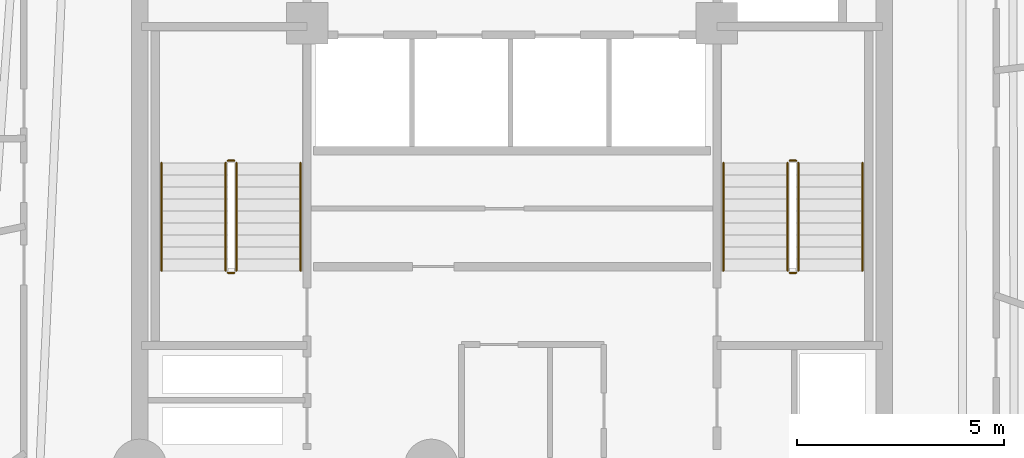
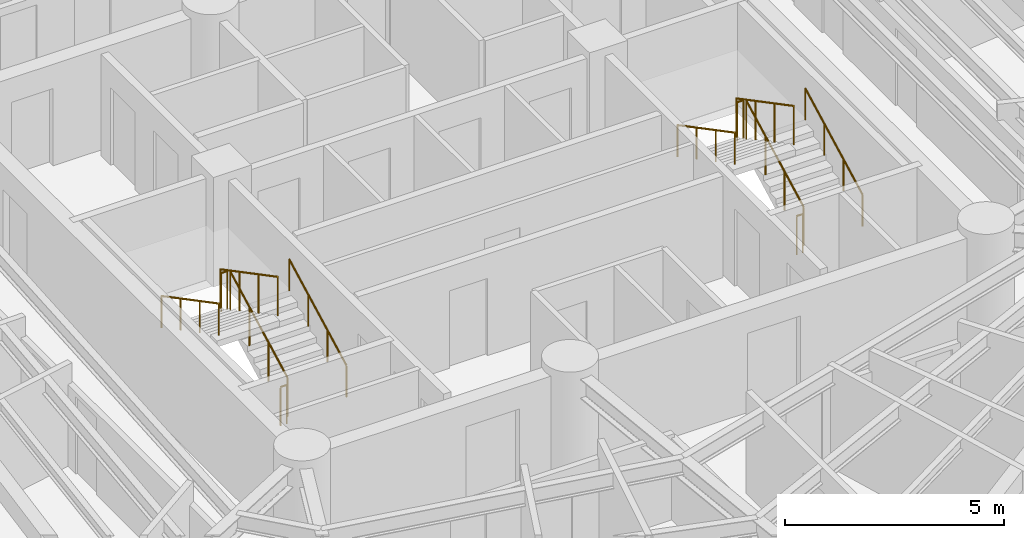
# One storey, part 8 of 8: 12 railings.
"""IFC4 building model written with IfcOpenShell, lengths in metres."""

from ifc_helpers import new_model, si_unit, direction, frame, origin, origin_2d, place, context, subcontext, project, spatial, circle, extrude, material, layer, layer_set, type_object, element, save


model = new_model("IFC4")

# Units and contexts
model_context = context("Model", 3, precision=1e-05, world=origin(), true_north=direction((0.0, 1.0)))
body_context = subcontext(model_context, "Body", "Model", "MODEL_VIEW")
ifc_project = project(units=[si_unit("LENGTHUNIT", "METRE"), si_unit("AREAUNIT", "SQUARE_METRE"), si_unit("VOLUMEUNIT", "CUBIC_METRE"), si_unit("PLANEANGLEUNIT", "RADIAN"), si_unit("MASSUNIT", "GRAM", prefix="KILO")], contexts=[model_context])

# Site, building, storey
site_placement = place(None, origin())
site = spatial("IfcSite", under=ifc_project, at=site_placement, CompositionType="ELEMENT")
building_placement = place(site_placement, origin())
building = spatial("IfcBuilding", under=site, at=building_placement, Name="Karkom Vertical University and Central Library", CompositionType="ELEMENT")
storey_placement = place(building_placement, frame((0.0, 0.0, 177.89990234375)))
storey = spatial("IfcBuildingStorey", under=building, at=storey_placement, Name="L51", CompositionType="ELEMENT", Elevation=177.89990234375)

# Railings
ifc_material_1 = material(Name="Painted galvanised steel balustrade", Category="steel")
ifc_layer_1 = layer(ifc_material_1, 0.06005859375)
ifc_layer_set_1 = layer_set([ifc_layer_1], Name="Painted galvanised steel balustrade")
railing_type_1 = type_object("IfcRailingType", Name="INT-RL-GUARD1100", PredefinedType="GUARDRAIL", material=ifc_layer_set_1)
railing_1_placement = place(storey_placement, frame((21.840087890625, 23.02001953125, 0.152587890625)))
element("IfcRailing", 1, at=railing_1_placement, inside=storey, type_object=railing_type_1, Name="Level 51 ST-1 stair guard 1", PredefinedType="GUARDRAIL", context=body_context, shape_type="SweptSolid", body=[
    extrude(circle(Radius=0.02392578125, at=origin_2d()), frame((0.0, 0.0, 1.076171875), z_axis=(0.0, 0.885065446896, 0.46546659892), x_axis=(-1.0, 0.0, 0.0)), (0.0, 0.0, 1.0), 2.94873046875),
    extrude(circle(Radius=0.02099609375, at=origin_2d()), origin(), (0.0, 0.0, 1.0), 1.052001953125),
    extrude(circle(Radius=0.02099609375, at=origin_2d()), frame((0.0, 0.869873046875, 0.45751953125)), (0.0, 0.0, 1.0), 1.052001953125),
    extrude(circle(Radius=0.02099609375, at=origin_2d()), frame((0.0, 1.739990234375, 0.9150390625)), (0.0, 0.0, 1.0), 1.052001953125),
    extrude(circle(Radius=0.02099609375, at=origin_2d()), frame((0.0, 2.60986328125, 1.37255859375)), (0.0, 0.0, 1.0), 1.052001953125),
])
railing_2_placement = place(storey_placement, frame((21.7900390625, 25.679931640625, 1.525146484375)))
element("IfcRailing", 2, at=railing_2_placement, inside=storey, type_object=railing_type_1, Name="Level 51 ST-1 stair guard 2", PredefinedType="GUARDRAIL", context=body_context, shape_type="SweptSolid", body=[
    extrude(circle(Radius=0.02392578125, at=origin_2d()), frame((0.0, 0.0, 1.076171875), z_axis=(-1.0, 0.0, 0.0), x_axis=(0.0, -1.0, 0.0)), (0.0, 0.0, 1.0), 0.16015625),
    extrude(circle(Radius=0.02099609375, at=origin_2d()), origin(), (0.0, 0.0, 1.0), 1.052001953125),
    extrude(circle(Radius=0.02099609375, at=origin_2d()), frame((-0.16015625, 0.0, 0.0)), (0.0, 0.0, 1.0), 1.052001953125),
])
railing_3_placement = place(storey_placement, frame((21.580078125, 25.6298828125, 1.677490234375)))
element("IfcRailing", 3, at=railing_3_placement, inside=storey, type_object=railing_type_1, Name="Level 51 ST-1 stair guard 3", PredefinedType="GUARDRAIL", context=body_context, shape_type="SweptSolid", body=[
    extrude(circle(Radius=0.02392578125, at=origin_2d()), frame((0.0, 0.0, 1.076171875), z_axis=(0.0, -0.885065446896, 0.46546659892), x_axis=(1.0, 0.0, 0.0)), (0.0, 0.0, 1.0), 2.94873046875),
    extrude(circle(Radius=0.02099609375, at=origin_2d()), origin(), (0.0, 0.0, 1.0), 1.052001953125),
    extrude(circle(Radius=0.02099609375, at=origin_2d()), frame((0.0, -0.869873046875, 0.45751953125)), (0.0, 0.0, 1.0), 1.052001953125),
    extrude(circle(Radius=0.02099609375, at=origin_2d()), frame((0.0, -1.739990234375, 0.9150390625)), (0.0, 0.0, 1.0), 1.052001953125),
    extrude(circle(Radius=0.02099609375, at=origin_2d()), frame((0.0, -2.60986328125, 1.37255859375)), (0.0, 0.0, 1.0), 1.052001953125),
])
railing_4_placement = place(storey_placement, frame((21.7900390625, 22.969970703125, 0.0)))
element("IfcRailing", 4, at=railing_4_placement, inside=storey, type_object=railing_type_1, Name="Level 51 ST-1 stair guard 4", PredefinedType="GUARDRAIL", context=body_context, shape_type="SweptSolid", body=[
    extrude(circle(Radius=0.02392578125, at=origin_2d()), frame((0.0, 0.0, 1.076171875), z_axis=(-1.0, 0.0, 0.0), x_axis=(0.0, -1.0, 0.0)), (0.0, 0.0, 1.0), 0.16015625),
    extrude(circle(Radius=0.02099609375, at=origin_2d()), origin(), (0.0, 0.0, 1.0), 1.052001953125),
    extrude(circle(Radius=0.02099609375, at=origin_2d()), frame((-0.16015625, 0.0, 0.0)), (0.0, 0.0, 1.0), 1.052001953125),
])
railing_5_placement = place(storey_placement, frame((35.419921875, 23.02001953125, 0.152587890625)))
element("IfcRailing", 5, at=railing_5_placement, inside=storey, type_object=railing_type_1, Name="Level 51 ST-2 stair guard 1", PredefinedType="GUARDRAIL", context=body_context, shape_type="SweptSolid", body=[
    extrude(circle(Radius=0.02392578125, at=origin_2d()), frame((0.0, 0.0, 1.076171875), z_axis=(0.0, 0.885065446896, 0.46546659892), x_axis=(-1.0, 0.0, 0.0)), (0.0, 0.0, 1.0), 2.94873046875),
    extrude(circle(Radius=0.02099609375, at=origin_2d()), origin(), (0.0, 0.0, 1.0), 1.052001953125),
    extrude(circle(Radius=0.02099609375, at=origin_2d()), frame((0.0, 0.869873046875, 0.45751953125)), (0.0, 0.0, 1.0), 1.052001953125),
    extrude(circle(Radius=0.02099609375, at=origin_2d()), frame((0.0, 1.739990234375, 0.9150390625)), (0.0, 0.0, 1.0), 1.052001953125),
    extrude(circle(Radius=0.02099609375, at=origin_2d()), frame((0.0, 2.60986328125, 1.37255859375)), (0.0, 0.0, 1.0), 1.052001953125),
])
railing_6_placement = place(storey_placement, frame((35.3701171875, 25.679931640625, 1.525146484375)))
element("IfcRailing", 6, at=railing_6_placement, inside=storey, type_object=railing_type_1, Name="Level 51 ST-2 stair guard 2", PredefinedType="GUARDRAIL", context=body_context, shape_type="SweptSolid", body=[
    extrude(circle(Radius=0.02392578125, at=origin_2d()), frame((0.0, 0.0, 1.076171875), z_axis=(-1.0, 0.0, 0.0), x_axis=(0.0, -1.0, 0.0)), (0.0, 0.0, 1.0), 0.16015625),
    extrude(circle(Radius=0.02099609375, at=origin_2d()), origin(), (0.0, 0.0, 1.0), 1.052001953125),
    extrude(circle(Radius=0.02099609375, at=origin_2d()), frame((-0.16015625, 0.0, 0.0)), (0.0, 0.0, 1.0), 1.052001953125),
])
railing_7_placement = place(storey_placement, frame((35.159912109375, 25.6298828125, 1.677490234375)))
element("IfcRailing", 7, at=railing_7_placement, inside=storey, type_object=railing_type_1, Name="Level 51 ST-2 stair guard 3", PredefinedType="GUARDRAIL", context=body_context, shape_type="SweptSolid", body=[
    extrude(circle(Radius=0.02392578125, at=origin_2d()), frame((0.0, 0.0, 1.076171875), z_axis=(0.0, -0.885065446896, 0.46546659892), x_axis=(1.0, 0.0, 0.0)), (0.0, 0.0, 1.0), 2.94873046875),
    extrude(circle(Radius=0.02099609375, at=origin_2d()), origin(), (0.0, 0.0, 1.0), 1.052001953125),
    extrude(circle(Radius=0.02099609375, at=origin_2d()), frame((0.0, -0.869873046875, 0.45751953125)), (0.0, 0.0, 1.0), 1.052001953125),
    extrude(circle(Radius=0.02099609375, at=origin_2d()), frame((0.0, -1.739990234375, 0.9150390625)), (0.0, 0.0, 1.0), 1.052001953125),
    extrude(circle(Radius=0.02099609375, at=origin_2d()), frame((0.0, -2.60986328125, 1.37255859375)), (0.0, 0.0, 1.0), 1.052001953125),
])
railing_8_placement = place(storey_placement, frame((35.3701171875, 22.969970703125, 0.0)))
element("IfcRailing", 8, at=railing_8_placement, inside=storey, type_object=railing_type_1, Name="Level 51 ST-2 stair guard 4", PredefinedType="GUARDRAIL", context=body_context, shape_type="SweptSolid", body=[
    extrude(circle(Radius=0.02392578125, at=origin_2d()), frame((0.0, 0.0, 1.076171875), z_axis=(-1.0, 0.0, 0.0), x_axis=(0.0, -1.0, 0.0)), (0.0, 0.0, 1.0), 0.16015625),
    extrude(circle(Radius=0.02099609375, at=origin_2d()), origin(), (0.0, 0.0, 1.0), 1.052001953125),
    extrude(circle(Radius=0.02099609375, at=origin_2d()), frame((-0.16015625, 0.0, 0.0)), (0.0, 0.0, 1.0), 1.052001953125),
])
ifc_material_2 = material(Name="Brushed stainless-steel tubular handrail", Category="steel")
ifc_layer_2 = layer(ifc_material_2, 0.048095703125)
ifc_layer_set_2 = layer_set([ifc_layer_2], Name="Brushed stainless-steel tubular handrail")
railing_type_2 = type_object("IfcRailingType", Name="INT-RL-HAND920", PredefinedType="HANDRAIL", material=ifc_layer_set_2)
railing_9_placement = place(storey_placement, frame((23.389892578125, 23.02001953125, 0.152587890625)))
element("IfcRailing", 9, at=railing_9_placement, inside=storey, type_object=railing_type_2, Name="Level 51 ST-1 stair handrail 1", PredefinedType="HANDRAIL", context=body_context, shape_type="SweptSolid", body=[
    extrude(circle(Radius=0.02392578125, at=origin_2d()), frame((0.0, 0.0, 0.8759765625), z_axis=(0.0, 0.885065446896, 0.46546659892), x_axis=(-1.0, 0.0, 0.0)), (0.0, 0.0, 1.0), 2.94873046875),
    extrude(circle(Radius=0.02099609375, at=origin_2d()), origin(), (0.0, 0.0, 1.0), 0.851806640625),
    extrude(circle(Radius=0.02099609375, at=origin_2d()), frame((0.0, 0.869873046875, 0.45751953125)), (0.0, 0.0, 1.0), 0.851806640625),
    extrude(circle(Radius=0.02099609375, at=origin_2d()), frame((0.0, 1.739990234375, 0.9150390625)), (0.0, 0.0, 1.0), 0.851806640625),
    extrude(circle(Radius=0.02099609375, at=origin_2d()), frame((0.0, 2.60986328125, 1.37255859375)), (0.0, 0.0, 1.0), 0.851806640625),
])
railing_10_placement = place(storey_placement, frame((20.030029296875, 25.6298828125, 1.677490234375)))
element("IfcRailing", 10, at=railing_10_placement, inside=storey, type_object=railing_type_2, Name="Level 51 ST-1 stair handrail 2", PredefinedType="HANDRAIL", context=body_context, shape_type="SweptSolid", body=[
    extrude(circle(Radius=0.02392578125, at=origin_2d()), frame((0.0, 0.0, 0.8759765625), z_axis=(0.0, -0.885065446896, 0.46546659892), x_axis=(1.0, 0.0, 0.0)), (0.0, 0.0, 1.0), 2.94873046875),
    extrude(circle(Radius=0.02099609375, at=origin_2d()), origin(), (0.0, 0.0, 1.0), 0.851806640625),
    extrude(circle(Radius=0.02099609375, at=origin_2d()), frame((0.0, -0.869873046875, 0.45751953125)), (0.0, 0.0, 1.0), 0.851806640625),
    extrude(circle(Radius=0.02099609375, at=origin_2d()), frame((0.0, -1.739990234375, 0.9150390625)), (0.0, 0.0, 1.0), 0.851806640625),
    extrude(circle(Radius=0.02099609375, at=origin_2d()), frame((0.0, -2.60986328125, 1.37255859375)), (0.0, 0.0, 1.0), 0.851806640625),
])
railing_11_placement = place(storey_placement, frame((36.969970703125, 23.02001953125, 0.152587890625)))
element("IfcRailing", 11, at=railing_11_placement, inside=storey, type_object=railing_type_2, Name="Level 51 ST-2 stair handrail 1", PredefinedType="HANDRAIL", context=body_context, shape_type="SweptSolid", body=[
    extrude(circle(Radius=0.02392578125, at=origin_2d()), frame((0.0, 0.0, 0.8759765625), z_axis=(0.0, 0.885065446896, 0.46546659892), x_axis=(-1.0, 0.0, 0.0)), (0.0, 0.0, 1.0), 2.94873046875),
    extrude(circle(Radius=0.02099609375, at=origin_2d()), origin(), (0.0, 0.0, 1.0), 0.851806640625),
    extrude(circle(Radius=0.02099609375, at=origin_2d()), frame((0.0, 0.869873046875, 0.45751953125)), (0.0, 0.0, 1.0), 0.851806640625),
    extrude(circle(Radius=0.02099609375, at=origin_2d()), frame((0.0, 1.739990234375, 0.9150390625)), (0.0, 0.0, 1.0), 0.851806640625),
    extrude(circle(Radius=0.02099609375, at=origin_2d()), frame((0.0, 2.60986328125, 1.37255859375)), (0.0, 0.0, 1.0), 0.851806640625),
])
railing_12_placement = place(storey_placement, frame((33.610107421875, 25.6298828125, 1.677490234375)))
element("IfcRailing", 12, at=railing_12_placement, inside=storey, type_object=railing_type_2, Name="Level 51 ST-2 stair handrail 2", PredefinedType="HANDRAIL", context=body_context, shape_type="SweptSolid", body=[
    extrude(circle(Radius=0.02392578125, at=origin_2d()), frame((0.0, 0.0, 0.8759765625), z_axis=(0.0, -0.885065446896, 0.46546659892), x_axis=(1.0, 0.0, 0.0)), (0.0, 0.0, 1.0), 2.94873046875),
    extrude(circle(Radius=0.02099609375, at=origin_2d()), origin(), (0.0, 0.0, 1.0), 0.851806640625),
    extrude(circle(Radius=0.02099609375, at=origin_2d()), frame((0.0, -0.869873046875, 0.45751953125)), (0.0, 0.0, 1.0), 0.851806640625),
    extrude(circle(Radius=0.02099609375, at=origin_2d()), frame((0.0, -1.739990234375, 0.9150390625)), (0.0, 0.0, 1.0), 0.851806640625),
    extrude(circle(Radius=0.02099609375, at=origin_2d()), frame((0.0, -2.60986328125, 1.37255859375)), (0.0, 0.0, 1.0), 0.851806640625),
])

save(model, "model.ifc")
